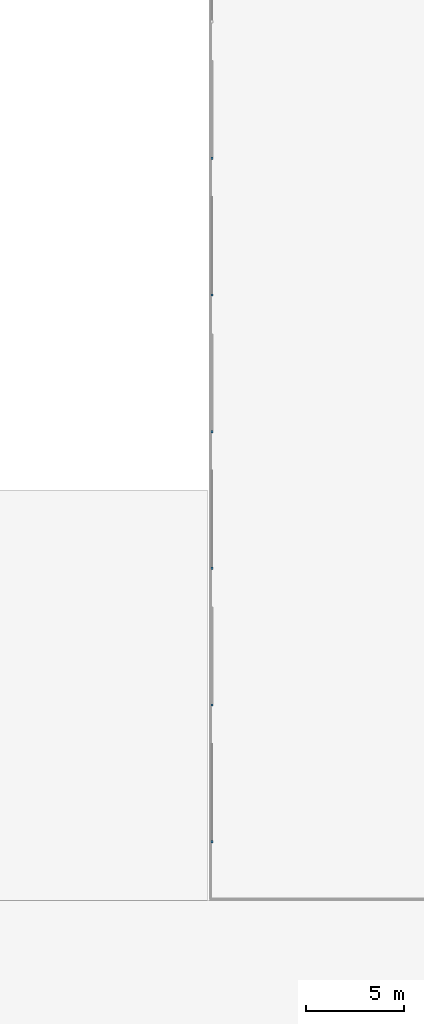
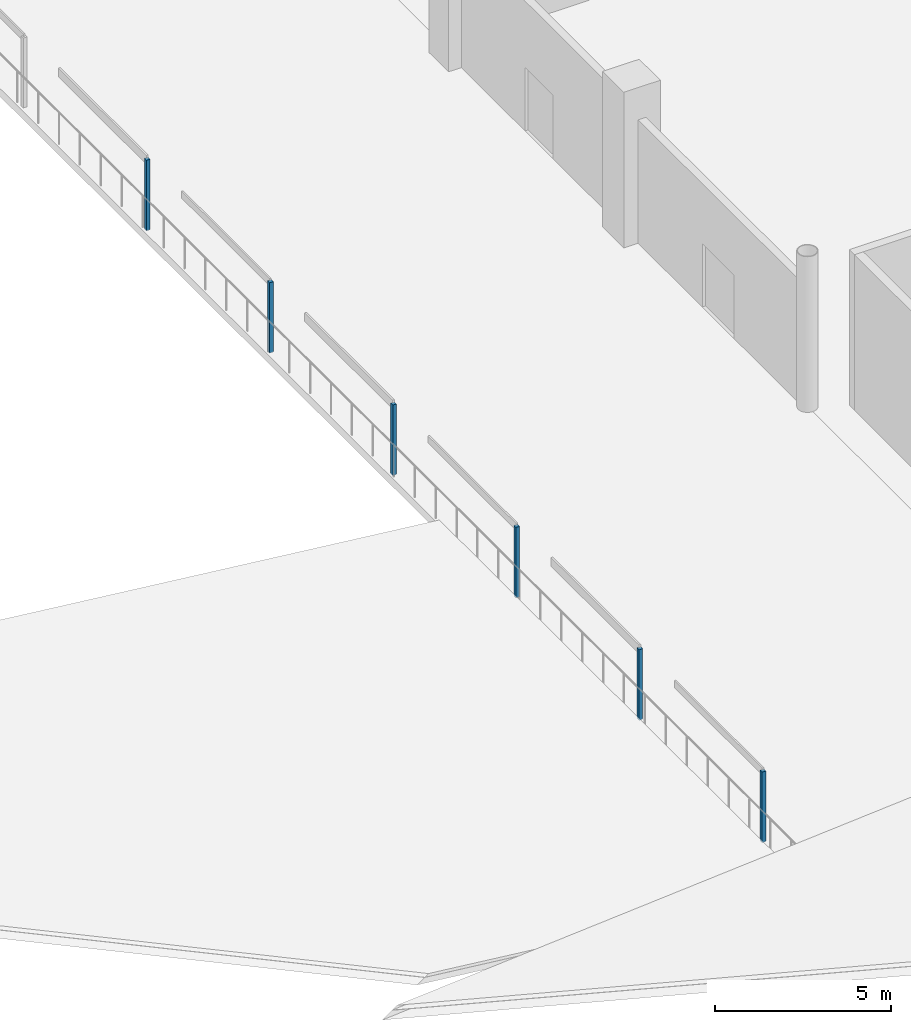
# One storey, part 60 of 74: 6 discrete accessories.
"""IFC4 building model written with IfcOpenShell, lengths in metres."""

import ifcopenshell
import ifcopenshell.guid

model = None  # the IFC model being written
_history = None  # IfcOwnerHistory: only IFC2X3 demands one
_inside = {}  # id of a spatial element -> (the spatial element, [elements in it])
_under = {}  # id of a project, library or spatial element -> (it, [spatial elements below it])
_declared = {}  # id of a project -> (the project, [libraries it declares])
_typed = {}  # id of a type object -> (the type object, [elements of that type])
_made_of = {}  # id of a material, layer set ... -> (it, [elements and type objects made of it])


def new_model(schema):
    """Start an empty IFC model of exactly this schema.

    Asked for "IFC4X3", IfcOpenShell would pick the latest addendum, in which some entities
    have other attributes; the version numbers below select the first issue.
    IFC2X3 requires an IfcOwnerHistory on every rooted entity: one is made here for all.
    """
    global model, _history
    if schema == "IFC4X3":
        model = ifcopenshell.file(schema_version=(4, 3, 0, 0))
    else:
        model = ifcopenshell.file(schema=schema)
    _inside.clear()
    _under.clear()
    _declared.clear()
    _typed.clear()
    _made_of.clear()
    _history = None
    if model.schema == "IFC2X3":
        org = make("IfcOrganization", Name="unknown")
        user = make(
            "IfcPersonAndOrganization",
            ThePerson=make("IfcPerson", FamilyName="unknown"),
            TheOrganization=org,
        )
        app = make(
            "IfcApplication",
            ApplicationDeveloper=org,
            Version="unknown",
            ApplicationFullName="unknown",
            ApplicationIdentifier="unknown",
        )
        _history = make(
            "IfcOwnerHistory",
            OwningUser=user,
            OwningApplication=app,
            ChangeAction="ADDED",
            CreationDate=0,
        )
    return model


def make(cls, **values):
    """One entity of the class cls with the attributes given. An attribute that is None is left unset."""
    return model.create_entity(
        cls, **{name: value for name, value in values.items() if value is not None}
    )


def rooted(cls, **values):
    """An entity with a GlobalId (a new one), such as an element, a storey or a relation."""
    return make(cls, GlobalId=ifcopenshell.guid.new(), OwnerHistory=_history, **values)


def si_unit(unit_type, name, prefix=None):
    """IfcSIUnit, for example si_unit("LENGTHUNIT", "METRE", prefix="MILLI")."""
    return make("IfcSIUnit", UnitType=unit_type, Prefix=prefix, Name=name)


def assignment(units):
    """IfcUnitAssignment: the units of a project."""
    return None if units is None else make("IfcUnitAssignment", Units=units)


def point(xyz):
    """IfcCartesianPoint."""
    return None if xyz is None else make("IfcCartesianPoint", Coordinates=xyz)


def direction(xyz):
    """IfcDirection."""
    return None if xyz is None else make("IfcDirection", DirectionRatios=xyz)


def frame(location, z_axis=None, x_axis=None):
    """IfcAxis2Placement3D, a coordinate frame: its origin and axes. An axis left out is left unset."""
    return make(
        "IfcAxis2Placement3D",
        Location=point(location),
        Axis=direction(z_axis),
        RefDirection=direction(x_axis),
    )


def frame_2d(location, x_axis=None):
    """IfcAxis2Placement2D, a coordinate frame in the plane: its origin and x axis."""
    return make(
        "IfcAxis2Placement2D", Location=point(location), RefDirection=direction(x_axis)
    )


def origin():
    """The frame at (0, 0, 0) with its axes left unset."""
    return frame((0.0, 0.0, 0.0))


def origin_2d():
    """The frame at (0, 0) in the plane with its x axis left unset."""
    return frame_2d((0.0, 0.0))


def place(relative_to, where):
    """IfcLocalPlacement: puts the frame where relative to a parent placement (None: the world)."""
    return make(
        "IfcLocalPlacement", PlacementRelTo=relative_to, RelativePlacement=where
    )


def context(
    kind, dimensions, precision=None, world=None, true_north=None, identifier=None
):
    """IfcGeometricRepresentationContext, for example the 3D "Model" context."""
    return make(
        "IfcGeometricRepresentationContext",
        ContextIdentifier=identifier,
        ContextType=kind,
        CoordinateSpaceDimension=dimensions,
        Precision=precision,
        WorldCoordinateSystem=world,
        TrueNorth=true_north,
    )


def subcontext(parent, identifier, kind, view, scale=None):
    """IfcGeometricRepresentationSubContext, for example "Body" below "Model"."""
    return make(
        "IfcGeometricRepresentationSubContext",
        ContextIdentifier=identifier,
        ContextType=kind,
        ParentContext=parent,
        TargetScale=scale,
        TargetView=view,
    )


def project(units=None, contexts=None):
    """IfcProject with its units and contexts."""
    return rooted(
        "IfcProject",
        Name="project",
        RepresentationContexts=contexts,
        UnitsInContext=assignment(units),
    )


def spatial(cls, under=None, at=None, **own):
    """A site, building, storey or space (cls), placed at a placement, below another one or the project."""
    s = rooted(cls, ObjectPlacement=at, **own)
    if under is not None:
        _under.setdefault(under.id(), (under, []))[1].append(s)
    return s


def profile(cls, at=None, kind="AREA", **sizes):
    """A parametric profile (cls). Its sizes go by their IFC names, for example OverallWidth=200.0."""
    return make(cls, ProfileType=kind, Position=at, **sizes)


def rectangle(**sizes):
    """IfcRectangleProfileDef."""
    return profile("IfcRectangleProfileDef", **sizes)


def extrude(swept, where, along, depth):
    """IfcExtrudedAreaSolid: the profile swept, set in the frame where, extruded along a direction by depth."""
    return make(
        "IfcExtrudedAreaSolid",
        SweptArea=swept,
        Position=where,
        ExtrudedDirection=direction(along),
        Depth=depth,
    )


def shape(context_of_items, identifier, shape_type, items):
    """IfcShapeRepresentation: the items that make up one representation, for example the "Body"."""
    return make(
        "IfcShapeRepresentation",
        ContextOfItems=context_of_items,
        RepresentationIdentifier=identifier,
        RepresentationType=shape_type,
        Items=items,
    )


def material(Name=None, Category=None):
    """IfcMaterial."""
    return make("IfcMaterial", Name=Name, Category=Category)


def layer(
    of_material, thickness, ventilated=None, Name=None, Category=None, Priority=None
):
    """IfcMaterialLayer: one layer of a wall or slab, of a material (None: an air gap)."""
    return make(
        "IfcMaterialLayer",
        Material=of_material,
        LayerThickness=thickness,
        IsVentilated=ventilated,
        Name=Name,
        Category=Category,
        Priority=Priority,
    )


def layer_set(layers, Name=None):
    """IfcMaterialLayerSet."""
    return make("IfcMaterialLayerSet", MaterialLayers=layers, LayerSetName=Name)


def made_of(thing, what):
    """Note that an element or type object is made of a material, layer set ...; save() writes the relation."""
    if what is not None:
        _made_of.setdefault(what.id(), (what, []))[1].append(thing)
    return thing


def type_object(cls, material=None, **own):
    """A type object (cls), such as IfcWallType, which elements share."""
    return made_of(rooted(cls, **own), material)


def element(
    cls,
    number,
    at=None,
    inside=None,
    cuts=None,
    type_object=None,
    material=None,
    context=None,
    identifier="Body",
    shape_type=None,
    held_by="IfcProductDefinitionShape",
    body=None,
    shapes=None,
    **own,
):
    """One element of the class cls, such as IfcWall. Its Tag is "e" and its number.

    at: its placement. inside: the storey or other place that contains it. cuts: it is an
    opening in that element (IfcRelVoidsElement). A single representation is given by context,
    identifier, shape_type and body (its items); several are given by shapes. held_by: the class
    of the entity that holds the representations. save() writes the other relations.
    """
    e = rooted(cls, Tag="e%d" % number, ObjectPlacement=at, **own)
    if body is not None:
        shapes = [shape(context, identifier, shape_type, body)]
    if shapes is not None:
        e.Representation = make(held_by, Representations=shapes)
    if inside is not None:
        _inside.setdefault(inside.id(), (inside, []))[1].append(e)
    if cuts is not None:
        rooted(
            "IfcRelVoidsElement", RelatingBuildingElement=cuts, RelatedOpeningElement=e
        )
    if type_object is not None:
        _typed.setdefault(type_object.id(), (type_object, []))[1].append(e)
    return made_of(e, material)


def aggregate(whole, parts):
    """IfcRelAggregates: a whole, such as a stair, and the parts it consists of."""
    return rooted("IfcRelAggregates", RelatingObject=whole, RelatedObjects=parts)


def save(model, path):
    """Write the relations noted so far, then the file.

    IfcRelAggregates (storeys below a building ...), IfcRelContainedInSpatialStructure (elements
    in a storey), IfcRelDefinesByType, IfcRelAssociatesMaterial and IfcRelDeclares: one each for
    every whole, place, type object, material and project.
    """
    for whole, parts in _under.values():
        aggregate(whole, parts)
    for where, things in _inside.values():
        rooted(
            "IfcRelContainedInSpatialStructure",
            RelatedElements=things,
            RelatingStructure=where,
        )
    for kind, things in _typed.values():
        rooted("IfcRelDefinesByType", RelatedObjects=things, RelatingType=kind)
    for what, things in _made_of.values():
        rooted("IfcRelAssociatesMaterial", RelatedObjects=things, RelatingMaterial=what)
    for by, libraries in _declared.values():
        rooted("IfcRelDeclares", RelatingContext=by, RelatedDefinitions=libraries)
    model.write(path)


model = new_model("IFC4")

# Units and contexts
model_context = context("Model", 3, precision=1e-05, world=origin(), true_north=direction((0.0, 1.0)))
body_context = subcontext(model_context, "Body", "Model", "MODEL_VIEW")
ifc_project = project(units=[si_unit("LENGTHUNIT", "METRE"), si_unit("AREAUNIT", "SQUARE_METRE"), si_unit("VOLUMEUNIT", "CUBIC_METRE"), si_unit("PLANEANGLEUNIT", "RADIAN"), si_unit("MASSUNIT", "GRAM", prefix="KILO")], contexts=[model_context])

# Site, building, storey
site_placement = place(None, origin())
site = spatial("IfcSite", under=ifc_project, at=site_placement, CompositionType="ELEMENT")
building_placement = place(site_placement, origin())
building = spatial("IfcBuilding", under=site, at=building_placement, Name="Brinegate Civic Arena", CompositionType="ELEMENT")
storey_placement = place(building_placement, frame((0.0, 0.0, 19.199951171875)))
storey = spatial("IfcBuildingStorey", under=building, at=storey_placement, Name="L04", CompositionType="ELEMENT", Elevation=19.199951171875)

# Discrete accessories
ifc_material = material(Name="Galvanized hurricane steel", Category="steel")
ifc_layer = layer(ifc_material, 0.080078125, Name="Galvanized hurricane steel")
ifc_layer_set = layer_set([ifc_layer], Name="Galvanized hurricane steel")
discrete_accessory_type = type_object("IfcDiscreteAccessoryType", Name="BRACKET-FACADE-160", PredefinedType="BRACKET", material=ifc_layer_set)
for number, where, z_axis, x_axis, name in (
    (1, (36.14990234375, 34.0, -0.02490234375), (0.0, 0.0, 1.0), (1.0, 0.0, 0.0), "Storm Louvre Post Bracket BRK-SHD-LOG-001"),
    (2, (36.14990234375, 41.0, -0.02490234375), (0.0, 0.0, 1.0), (1.0, 0.0, 0.0), "Storm Louvre Post Bracket BRK-SHD-LOG-002"),
    (3, (36.14990234375, 48.0, -0.02490234375), (0.0, 0.0, 1.0), (1.0, 0.0, 0.0), "Storm Louvre Post Bracket BRK-SHD-LOG-003"),
    (4, (36.14990234375, 55.0, -0.02490234375), (0.0, 0.0, 1.0), (1.0, 0.0, 0.0), "Storm Louvre Post Bracket BRK-SHD-LOG-004"),
    (5, (36.14990234375, 62.0, -0.02490234375), (0.0, 0.0, 1.0), (1.0, 0.0, 0.0), "Storm Louvre Post Bracket BRK-SHD-LOG-005"),
    (6, (36.14990234375, 69.0, -0.02490234375), (0.0, 0.0, 1.0), (1.0, 0.0, 0.0), "Storm Louvre Post Bracket BRK-SHD-LOG-006"),
):
    element("IfcDiscreteAccessory", number, at=place(storey_placement, frame(where, z_axis=z_axis, x_axis=x_axis)), inside=storey, type_object=discrete_accessory_type, Name=name, PredefinedType="BRACKET", context=body_context, shape_type="SweptSolid", body=[
        extrude(rectangle(XDim=0.1201171875, YDim=0.1201171875, at=origin_2d()), origin(), (0.0, 0.0, 1.0), 2.449951171875),
    ])

save(model, "model.ifc")
